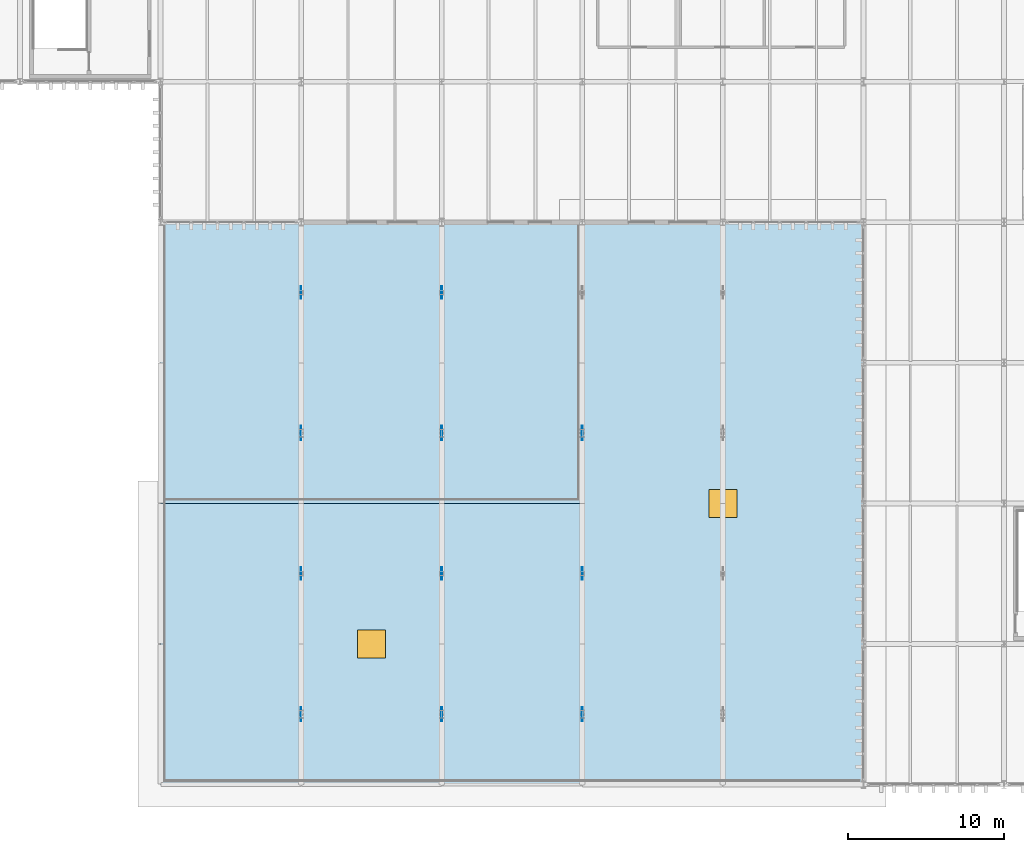
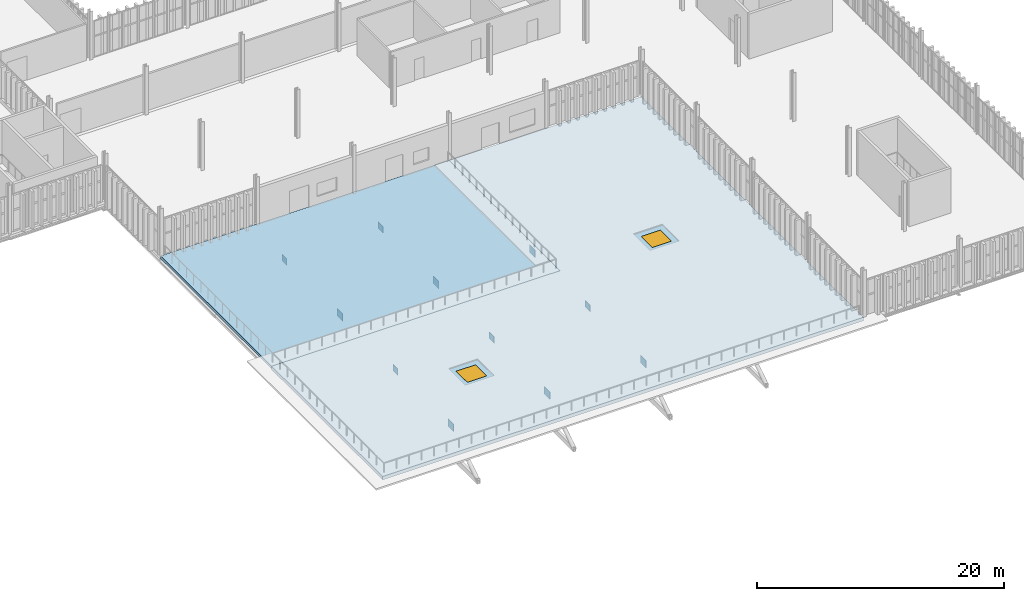
# One storey, part 163 of 196: 11 plates, 2 slabs, 2 windows, 2 openings.
"""IFC4 building model written with IfcOpenShell, lengths in metres."""

from ifc_helpers import new_model, si_unit, direction, frame, origin, origin_2d, place, context, subcontext, project, spatial, polyline, rectangle, outline, extrude, material, layer, layer_set, type_object, element, fill, save


model = new_model("IFC4")

# Units and contexts
model_context = context("Model", 3, precision=1e-05, world=origin(), true_north=direction((0.0, 1.0)))
body_context = subcontext(model_context, "Body", "Model", "MODEL_VIEW")
ifc_project = project(units=[si_unit("LENGTHUNIT", "METRE"), si_unit("AREAUNIT", "SQUARE_METRE"), si_unit("VOLUMEUNIT", "CUBIC_METRE"), si_unit("PLANEANGLEUNIT", "RADIAN"), si_unit("MASSUNIT", "GRAM", prefix="KILO")], contexts=[model_context])

# Site, building, storey
site_placement = place(None, origin())
site = spatial("IfcSite", under=ifc_project, at=site_placement, CompositionType="ELEMENT")
building_placement = place(site_placement, origin())
building = spatial("IfcBuilding", under=site, at=building_placement, Name="Barlavento Convention Centre", CompositionType="ELEMENT")
storey_placement = place(building_placement, frame((0.0, 0.0, 18.0)))
storey = spatial("IfcBuildingStorey", under=building, at=storey_placement, Name="L03", CompositionType="ELEMENT", Elevation=18.0)

# Slab
ifc_material_1 = material(Name="Concrete C40/50", Category="concrete")
ifc_layer_1 = layer(ifc_material_1, 0.27001953125)
ifc_layer_set_1 = layer_set([ifc_layer_1], Name="ARC-SLB-TERR-270")
slab_type_1 = type_object("IfcSlabType", Name="ARC-SLB-TERR-270", PredefinedType="FLOOR", material=ifc_layer_set_1)
slab_1_placement = place(storey_placement, frame((0.0, 0.0, -0.27001953125)))
element("IfcSlab", 1, at=slab_1_placement, inside=storey, type_object=slab_type_1, Name="L03 outdoor terrace or apron slab TS-301", PredefinedType="FLOOR", context=body_context, shape_type="SweptSolid", body=[
    extrude(outline(polyline([(126.0, 18.0), (153.0, 18.0), (153.0, 36.0), (126.0, 36.0), (126.0, 18.0)])), origin(), (0.0, 0.0, 1.0), 0.27001953125),
])

# Plates
ifc_material_2 = material(Name="Steel S460", Category="steel")
ifc_layer_2 = layer(ifc_material_2, 0.0419921875)
ifc_layer_set_2 = layer_set([ifc_layer_2], Name="STR-PLT-NODE-TN1")
plate_type_1 = type_object("IfcPlateType", Name="STR-PLT-NODE-TN1", PredefinedType="USERDEFINED", material=ifc_layer_set_2)
for number, where, z_axis, x_axis, name in (
    (2, (135.0, 4.5, -1.1572265625), (0.0, 0.0, 1.0), (1.0, 0.0, 0.0), "Transfer truss node gusset plate TN01"),
    (3, (135.0, 22.5, -1.1572265625), (0.0, 0.0, 1.0), (1.0, 0.0, 0.0), "Transfer truss node gusset plate TN01"),
    (4, (144.0, 4.5, -1.10791015625), (0.0, 0.0, 1.0), (1.0, 0.0, 0.0), "Transfer truss node gusset plate TN01"),
    (5, (144.0, 22.5, -1.10791015625), (0.0, 0.0, 1.0), (1.0, 0.0, 0.0), "Transfer truss node gusset plate TN01"),
    (6, (153.0, 4.5, -1.1572265625), (0.0, 0.0, 1.0), (1.0, 0.0, 0.0), "Transfer truss node gusset plate TN01"),
    (7, (153.0, 22.5, -1.1572265625), (0.0, 0.0, 1.0), (1.0, 0.0, 0.0), "Transfer truss node gusset plate TN01"),
):
    element("IfcPlate", number, at=place(storey_placement, frame(where, z_axis=z_axis, x_axis=x_axis)), inside=storey, type_object=plate_type_1, Name=name, ObjectType="GUSSET_PLATE", PredefinedType="USERDEFINED", context=body_context, shape_type="SweptSolid", body=[
        extrude(rectangle(XDim=0.0419921875, YDim=0.919921875, at=origin_2d()), origin(), (0.0, 0.0, 1.0), 0.719970703125),
    ])
ifc_layer_3 = layer(ifc_material_2, 0.0380859375)
ifc_layer_set_3 = layer_set([ifc_layer_3], Name="STR-PLT-NODE-TN2")
plate_type_2 = type_object("IfcPlateType", Name="STR-PLT-NODE-TN2", PredefinedType="USERDEFINED", material=ifc_layer_set_3)
for number, where, z_axis, x_axis, name in (
    (8, (135.0, 13.5, -1.1171875), (0.0, 0.0, 1.0), (1.0, 0.0, 0.0), "Transfer truss node gusset plate TN02"),
    (9, (135.0, 31.5, -1.1171875), (0.0, 0.0, 1.0), (1.0, 0.0, 0.0), "Transfer truss node gusset plate TN02"),
    (10, (144.0, 13.5, -1.06787109375), (0.0, 0.0, 1.0), (1.0, 0.0, 0.0), "Transfer truss node gusset plate TN02"),
    (11, (144.0, 31.5, -1.06787109375), (0.0, 0.0, 1.0), (1.0, 0.0, 0.0), "Transfer truss node gusset plate TN02"),
    (12, (153.0, 13.5, -1.1171875), (0.0, 0.0, 1.0), (1.0, 0.0, 0.0), "Transfer truss node gusset plate TN02"),
):
    element("IfcPlate", number, at=place(storey_placement, frame(where, z_axis=z_axis, x_axis=x_axis)), inside=storey, type_object=plate_type_2, Name=name, ObjectType="GUSSET_PLATE", PredefinedType="USERDEFINED", context=body_context, shape_type="SweptSolid", body=[
        extrude(rectangle(XDim=0.0380859375, YDim=0.800048828125, at=origin_2d()), origin(), (0.0, 0.0, 1.0), 0.639892578125),
    ])

# Slab, openings, windows
ifc_layer_4 = layer(ifc_material_1, 0.344970703125)
ifc_layer_set_4 = layer_set([ifc_layer_4], Name="STR-SLB-ROOF-340")
slab_type_2 = type_object("IfcSlabType", Name="STR-SLB-ROOF-340", PredefinedType="ROOF", material=ifc_layer_set_4)
slab_2_placement = place(storey_placement, frame((0.0, 0.0, -0.344970703125)))
slab_2 = element("IfcSlab", 13, at=slab_2_placement, inside=storey, type_object=slab_type_2, Name="L03 structural flat roof slab RS-302", PredefinedType="ROOF", context=body_context, shape_type="SweptSolid", body=[
    extrude(outline(polyline([(126.0, 0.0), (171.0, 0.0), (171.0, 36.0), (153.0, 36.0), (153.0, 18.0), (126.0, 18.0), (126.0, 0.0)])), origin(), (0.0, 0.0, 1.0), 0.344970703125),
])
opening_1_placement = place(slab_2_placement, frame((139.5, 9.0, 0.0)))
opening_1 = element("IfcOpeningElement", 14, at=opening_1_placement, cuts=slab_2, Name="Opening LDM01", PredefinedType="OPENING", context=body_context, shape_type="SweptSolid", body=[
    extrude(rectangle(XDim=1.800048828125, YDim=1.800048828125, at=origin_2d()), origin(), (0.0, 0.0, 1.0), 0.344970703125),
])
opening_2_placement = place(slab_2_placement, frame((162.0, 18.0, 0.0)))
opening_2 = element("IfcOpeningElement", 15, at=opening_2_placement, cuts=slab_2, Name="Opening LDM01", PredefinedType="OPENING", context=body_context, shape_type="SweptSolid", body=[
    extrude(rectangle(XDim=1.800048828125, YDim=1.800048828125, at=origin_2d()), origin(), (0.0, 0.0, 1.0), 0.344970703125),
])
ifc_material_3 = material(Name="Double-silver Low-E insulated glass", Category="glass")
window_type = type_object("IfcWindowType", Name="ARC-WN-DOME-1800X1800", PartitioningType="SINGLE_PANEL", PredefinedType="LIGHTDOME", material=ifc_material_3)
window_1_placement = place(opening_1_placement, frame((0.0, 0.0, 0.294921875)))
window_1 = element("IfcWindow", 16, at=window_1_placement, inside=storey, type_object=window_type, Name="L03 roof skylight LDM01", OverallHeight=1.800048828125, OverallWidth=1.800048828125, PartitioningType="SINGLE_PANEL", PredefinedType="LIGHTDOME", context=body_context, shape_type="SweptSolid", body=[
    extrude(rectangle(XDim=1.800048828125, YDim=1.800048828125, at=origin_2d()), origin(), (0.0, 0.0, 1.0), 0.050048828125),
])
fill(opening_1, window_1)
window_2_placement = place(opening_2_placement, frame((0.0, 0.0, 0.294921875)))
window_2 = element("IfcWindow", 17, at=window_2_placement, inside=storey, type_object=window_type, Name="L03 roof skylight LDM01", OverallHeight=1.800048828125, OverallWidth=1.800048828125, PartitioningType="SINGLE_PANEL", PredefinedType="LIGHTDOME", context=body_context, shape_type="SweptSolid", body=[
    extrude(rectangle(XDim=1.800048828125, YDim=1.800048828125, at=origin_2d()), origin(), (0.0, 0.0, 1.0), 0.050048828125),
])
fill(opening_2, window_2)

save(model, "model.ifc")
